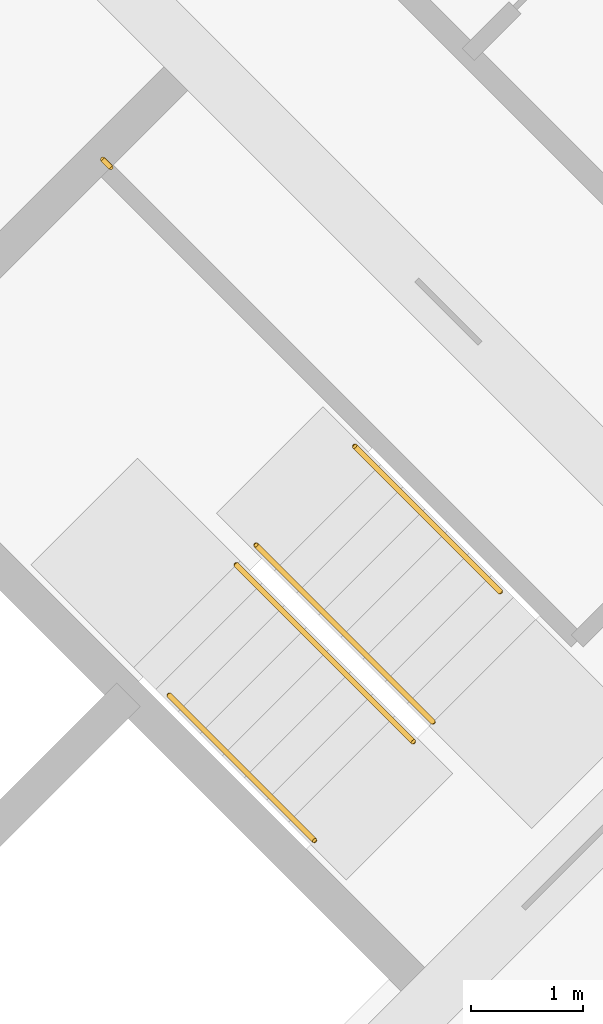
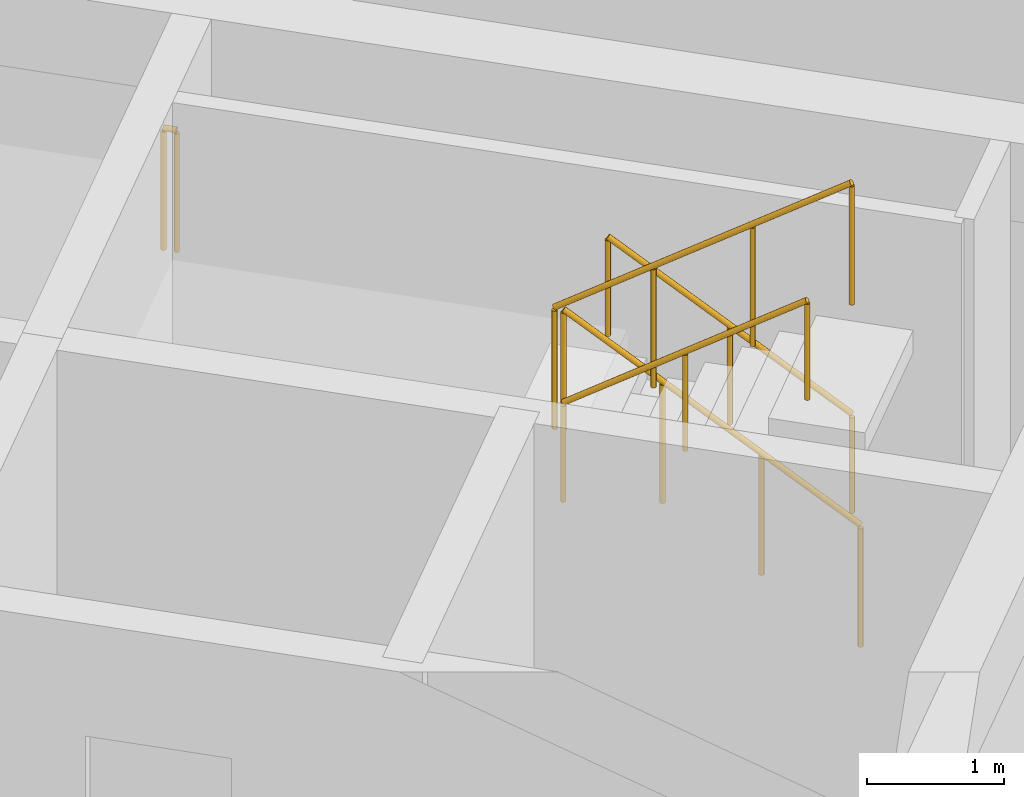
# One storey, part 12 of 12: 5 railings.
"""IFC4 building model written with IfcOpenShell, lengths in metres."""

from ifc_helpers import new_model, si_unit, direction, frame, origin, origin_2d, place, context, subcontext, project, spatial, circle, extrude, material, type_object, element, save


model = new_model("IFC4")

# Units and contexts
model_context = context("Model", 3, precision=1e-05, world=origin(), true_north=direction((0.0, 1.0)))
body_context = subcontext(model_context, "Body", "Model", "MODEL_VIEW")
ifc_project = project(units=[si_unit("LENGTHUNIT", "METRE"), si_unit("AREAUNIT", "SQUARE_METRE"), si_unit("VOLUMEUNIT", "CUBIC_METRE"), si_unit("PLANEANGLEUNIT", "RADIAN"), si_unit("MASSUNIT", "GRAM", prefix="KILO")], contexts=[model_context])

# Site, building, storey
site_placement = place(None, origin())
site = spatial("IfcSite", under=ifc_project, at=site_placement, CompositionType="ELEMENT")
building_placement = place(site_placement, origin())
building = spatial("IfcBuilding", under=site, at=building_placement, Name="Windrow Commons", CompositionType="ELEMENT")
storey_placement = place(building_placement, frame((0.0, 0.0, 227.0)))
storey = spatial("IfcBuildingStorey", under=building, at=storey_placement, Name="L62", CompositionType="ELEMENT", Elevation=227.0)

# Railings
ifc_material_1 = material(Name="Steel S355", Category="steel")
railing_type_1 = type_object("IfcRailingType", Name="Core stair guard 1100", PredefinedType="GUARDRAIL", material=ifc_material_1)
railing_1_placement = place(storey_placement, frame((94.2296, 48.4215, 0.1889)))
element("IfcRailing", 1, at=railing_1_placement, inside=storey, type_object=railing_type_1, Name="L62 ST-B2 stair guard 1", PredefinedType="GUARDRAIL", context=body_context, shape_type="SweptSolid", body=[
    extrude(circle(Radius=0.024, at=origin_2d()), frame((0.0, 0.0, 1.076), z_axis=(-0.5862157828, 0.5861787742, 0.5592365337), x_axis=(-0.7070844598, -0.7071291018, 0.0)), (0.0, 0.0, 1.0), 2.7021),
    extrude(circle(Radius=0.021, at=origin_2d()), origin(), (0.0, 0.0, 1.0), 1.052),
    extrude(circle(Radius=0.021, at=origin_2d()), frame((-0.528, 0.528, 0.5037)), (0.0, 0.0, 1.0), 1.052),
    extrude(circle(Radius=0.021, at=origin_2d()), frame((-1.056, 1.0559, 1.0074)), (0.0, 0.0, 1.0), 1.052),
    extrude(circle(Radius=0.021, at=origin_2d()), frame((-1.584, 1.5839, 1.5111)), (0.0, 0.0, 1.0), 1.052),
])
railing_2_placement = place(storey_placement, frame((92.4689, 49.8287, 1.8889)))
element("IfcRailing", 2, at=railing_2_placement, inside=storey, type_object=railing_type_1, Name="L62 ST-B2 stair guard 2", PredefinedType="GUARDRAIL", context=body_context, shape_type="SweptSolid", body=[
    extrude(circle(Radius=0.024, at=origin_2d()), frame((0.0, 0.0, 1.076), z_axis=(0.5861787742, -0.5862157828, 0.5592365337), x_axis=(0.7071291018, 0.7070844598, 0.0)), (0.0, 0.0, 1.0), 2.7021),
    extrude(circle(Radius=0.021, at=origin_2d()), origin(), (0.0, 0.0, 1.0), 1.052),
    extrude(circle(Radius=0.021, at=origin_2d()), frame((0.528, -0.528, 0.5037)), (0.0, 0.0, 1.0), 1.052),
    extrude(circle(Radius=0.021, at=origin_2d()), frame((1.0559, -1.056, 1.0074)), (0.0, 0.0, 1.0), 1.052),
    extrude(circle(Radius=0.021, at=origin_2d()), frame((1.5839, -1.584, 1.5111)), (0.0, 0.0, 1.0), 1.052),
])
railing_3_placement = place(storey_placement, frame((91.3446, 53.3854, 1.7)))
element("IfcRailing", 3, at=railing_3_placement, inside=storey, type_object=railing_type_1, Name="L62 ST-B2 stair guard 3", PredefinedType="GUARDRAIL", context=body_context, shape_type="SweptSolid", body=[
    extrude(circle(Radius=0.024, at=origin_2d()), frame((0.0, 0.0, 1.076), z_axis=(-0.7076063266, 0.7066068826, 0.0), x_axis=(-0.7066068826, -0.7076063266, 0.0)), (0.0, 0.0, 1.0), 0.1001),
    extrude(circle(Radius=0.021, at=origin_2d()), origin(), (0.0, 0.0, 1.0), 1.052),
    extrude(circle(Radius=0.021, at=origin_2d()), frame((-0.0708, 0.0707, 0.0)), (0.0, 0.0, 1.0), 1.052),
])
ifc_material_2 = material(Name="Steel S355", Category="steel")
railing_type_2 = type_object("IfcRailingType", Name="Core stair handrail 900", PredefinedType="HANDRAIL", material=ifc_material_2)
railing_4_placement = place(storey_placement, frame((94.8306, 49.5883, 0.4587)))
element("IfcRailing", 4, at=railing_4_placement, inside=storey, type_object=railing_type_2, Name="L62 ST-B2 stair handrail 1", PredefinedType="HANDRAIL", context=body_context, shape_type="SweptSolid", body=[
    extrude(circle(Radius=0.024, at=origin_2d()), frame((0.0, 0.0, 0.876), z_axis=(-0.586206706, 0.5861616513, 0.5592639952), x_axis=(-0.7070796062, -0.7071339551, 0.0)), (0.0, 0.0, 1.0), 2.2195),
    extrude(circle(Radius=0.021, at=origin_2d()), origin(), (0.0, 0.0, 1.0), 0.852),
    extrude(circle(Radius=0.021, at=origin_2d()), frame((-0.6506, 0.6505, 0.6206)), (0.0, 0.0, 1.0), 0.852),
    extrude(circle(Radius=0.021, at=origin_2d()), frame((-1.3011, 1.301, 1.2413)), (0.0, 0.0, 1.0), 0.852),
])
railing_5_placement = place(storey_placement, frame((91.8678, 48.6619, 2.1587)))
element("IfcRailing", 5, at=railing_5_placement, inside=storey, type_object=railing_type_2, Name="L62 ST-B2 stair handrail 2", PredefinedType="HANDRAIL", context=body_context, shape_type="SweptSolid", body=[
    extrude(circle(Radius=0.024, at=origin_2d()), frame((0.0, 0.0, 0.876), z_axis=(0.586206706, -0.5861616513, 0.5592639952), x_axis=(0.7070796062, 0.7071339551, 0.0)), (0.0, 0.0, 1.0), 2.2195),
    extrude(circle(Radius=0.021, at=origin_2d()), origin(), (0.0, 0.0, 1.0), 0.852),
    extrude(circle(Radius=0.021, at=origin_2d()), frame((0.6505, -0.6505, 0.6206)), (0.0, 0.0, 1.0), 0.852),
    extrude(circle(Radius=0.021, at=origin_2d()), frame((1.3011, -1.301, 1.2413)), (0.0, 0.0, 1.0), 0.852),
])

save(model, "model.ifc")
